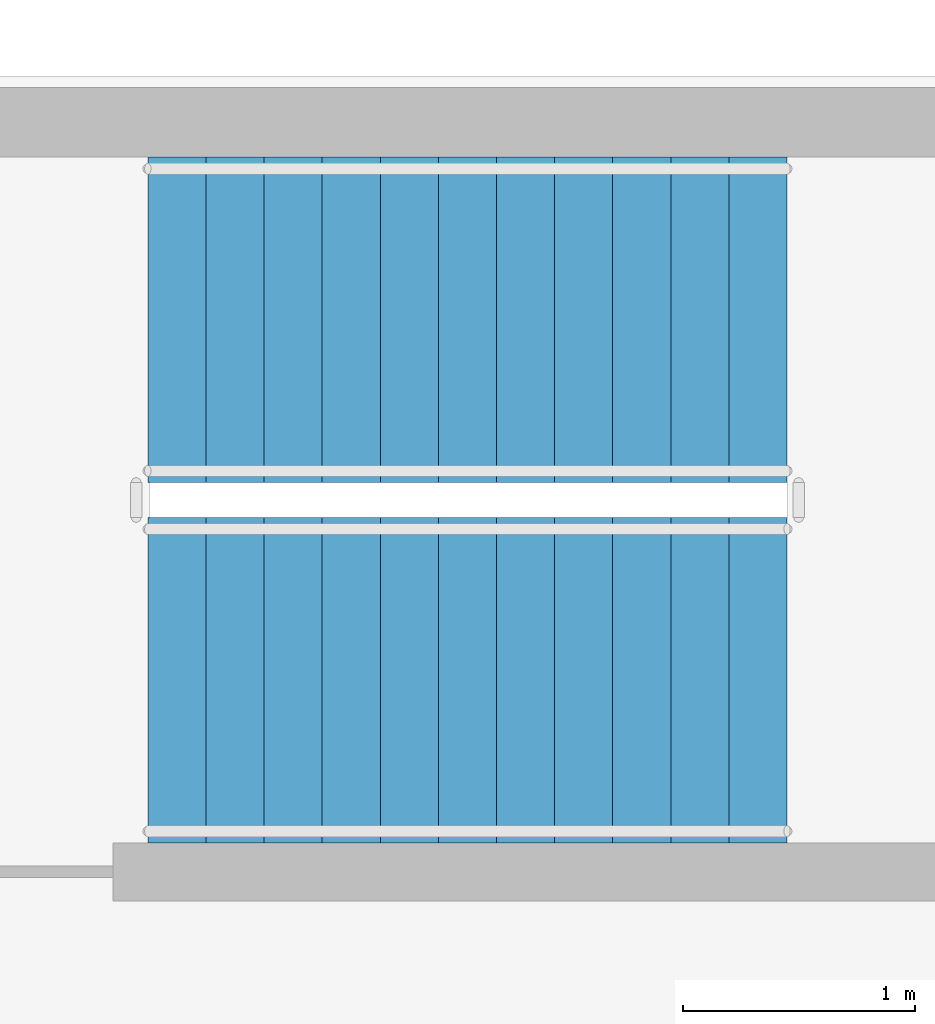
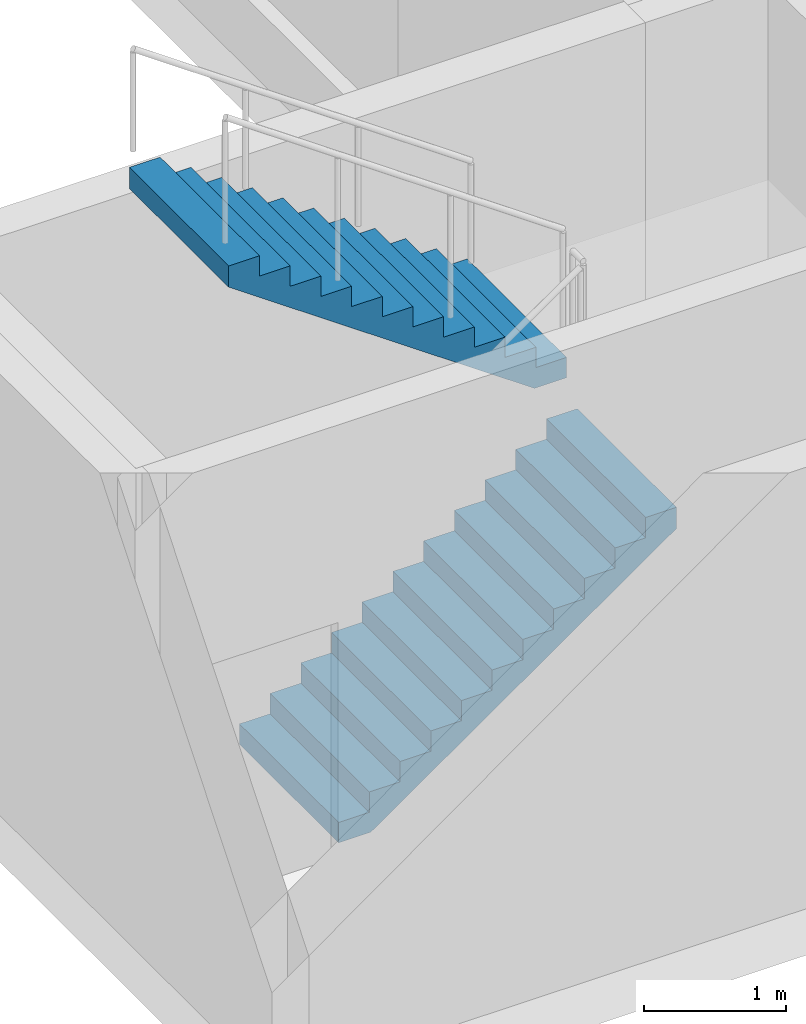
# One storey, part 10 of 15: 2 stair flights, 1 element without a shape of its own.
"""IFC4 building model written with IfcOpenShell, lengths in metres."""

from ifc_helpers import new_model, si_unit, direction, frame, origin, place, context, subcontext, project, spatial, polyline, outline, extrude, source, transform, mapped, material, type_object, element, aggregate, save


model = new_model("IFC4")

# Units and contexts
model_context = context("Model", 3, precision=1e-05, world=origin(), true_north=direction((0.0, 1.0)))
body_context = subcontext(model_context, "Body", "Model", "MODEL_VIEW")
ifc_project = project(units=[si_unit("LENGTHUNIT", "METRE"), si_unit("AREAUNIT", "SQUARE_METRE"), si_unit("VOLUMEUNIT", "CUBIC_METRE"), si_unit("PLANEANGLEUNIT", "RADIAN"), si_unit("MASSUNIT", "GRAM", prefix="KILO")], contexts=[model_context])

# Site, building, storey
site_placement = place(None, origin())
site = spatial("IfcSite", under=ifc_project, at=site_placement, CompositionType="ELEMENT")
building_placement = place(site_placement, origin())
building = spatial("IfcBuilding", under=site, at=building_placement, Name="Aurelian Terraces", CompositionType="ELEMENT")
storey_placement = place(building_placement, frame((0.0, 0.0, 137.1)))
storey = spatial("IfcBuildingStorey", under=building, at=storey_placement, Name="L30", CompositionType="ELEMENT", Elevation=137.1)

# Stair, stair flights
ifc_material = material(Name="Concrete fc' 40 MPa", Category="concrete")
stair_type = type_object("IfcStairType", Name="Stair 1400", PredefinedType="HALF_TURN_STAIR", material=ifc_material)
stair_placement = place(storey_placement, origin())
stair = element("IfcStair", 1, at=stair_placement, inside=storey, type_object=stair_type, Name="L30 S3", PredefinedType="HALF_TURN_STAIR")
stair_flight_type = type_object("IfcStairFlightType", Name="Stair flight 1400", PredefinedType="STRAIGHT", material=ifc_material)
shared_shape = source(origin(), body_context, "Body", "SweptSolid", [
    extrude(outline(polyline([(0.0, 0.0), (0.0, 0.175), (0.25, 0.175), (0.25, 0.35), (0.5, 0.35), (0.5, 0.525), (0.75, 0.525), (0.75, 0.7), (1.0, 0.7), (1.0, 0.875), (1.25, 0.875), (1.25, 1.05), (1.5, 1.05), (1.5, 1.225), (1.75, 1.225), (1.75, 1.4), (2.0, 1.4), (2.0, 1.575), (2.25, 1.575), (2.25, 1.75), (2.5, 1.75), (2.5, 1.925), (2.75, 1.925), (2.75, 2.1), (2.75, 1.7419), (0.2616, 0.0), (0.0, 0.0)])), frame((0.0, 0.7, 0.0), z_axis=(0.0, -1.0, 0.0), x_axis=(1.0, 0.0, 0.0)), (0.0, 0.0, 1.0), 1.4),
])
stair_flight_1_placement = place(storey_placement, frame((2.1, 41.35, 2e-08), z_axis=(0.0, 0.0, 1.0), x_axis=(1.0, 0.0, 0.0)))
stair_flight_1 = element("IfcStairFlight", 2, at=stair_flight_1_placement, type_object=stair_flight_type, Name="S3 flight 1", NumberOfRisers=12, NumberOfTreads=11, PredefinedType="STRAIGHT", RiserHeight=0.175, TreadLength=0.25, context=body_context, shape_type="MappedRepresentation", body=[
    mapped(shared_shape, transform((0.0, 0.0, 0.0), scale=1.0)),
])
stair_flight_2_placement = place(storey_placement, frame((4.85, 42.9, 2.100000019999994), z_axis=(0.0, 0.0, 1.0), x_axis=(-1.0, 0.0, 0.0)))
stair_flight_2 = element("IfcStairFlight", 3, at=stair_flight_2_placement, type_object=stair_flight_type, Name="S3 flight 2", NumberOfRisers=12, NumberOfTreads=11, PredefinedType="STRAIGHT", RiserHeight=0.175, TreadLength=0.25, context=body_context, shape_type="MappedRepresentation", body=[
    mapped(shared_shape, transform((0.0, 0.0, 0.0), scale=1.0)),
])
aggregate(stair, [stair_flight_1, stair_flight_2])

save(model, "model.ifc")
